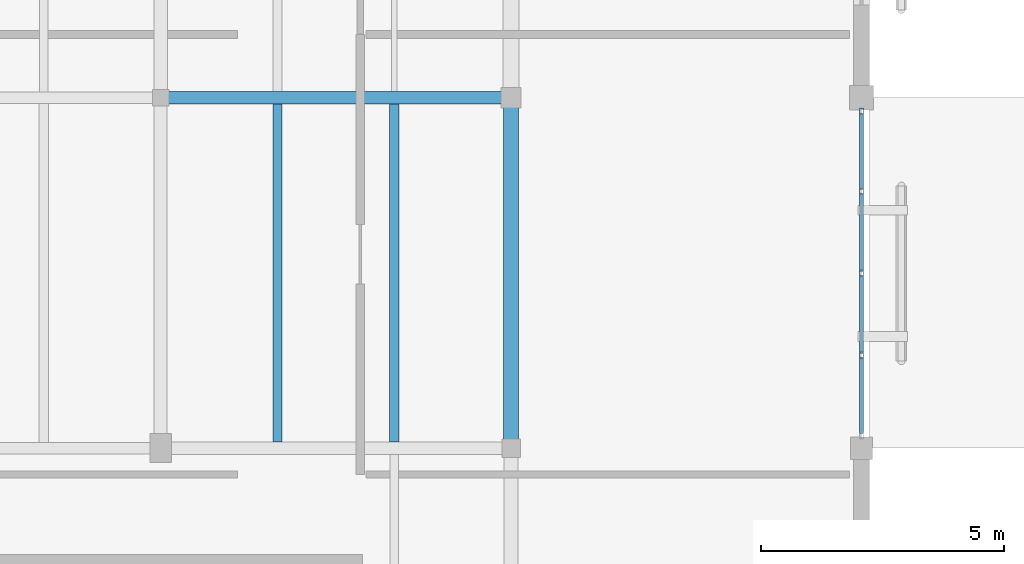
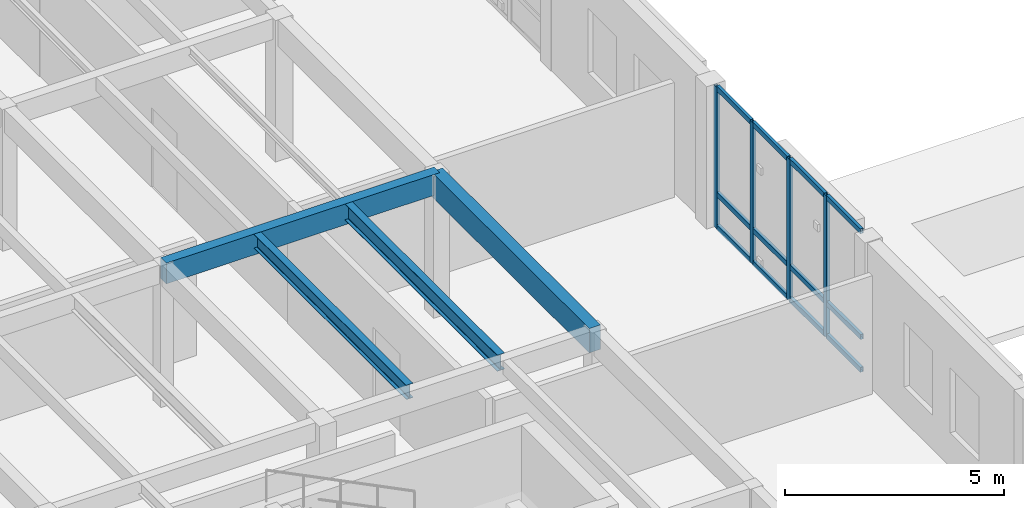
# One storey, part 15 of 61: 16 members, 4 beams, 1 element without a shape of its own.
"""IFC4 building model written with IfcOpenShell, lengths in metres."""

from ifc_helpers import new_model, si_unit, direction, frame, origin, origin_2d, place, context, subcontext, project, spatial, rectangle, hollow_rectangle, i_section, extrude, material, layer, layer_set, material_profile, profile_set, type_object, element, aggregate, save


model = new_model("IFC4")

# Units and contexts
model_context = context("Model", 3, precision=1e-05, world=origin(), true_north=direction((0.0, 1.0)))
body_context = subcontext(model_context, "Body", "Model", "MODEL_VIEW")
ifc_project = project(units=[si_unit("LENGTHUNIT", "METRE"), si_unit("AREAUNIT", "SQUARE_METRE"), si_unit("VOLUMEUNIT", "CUBIC_METRE"), si_unit("PLANEANGLEUNIT", "RADIAN"), si_unit("MASSUNIT", "GRAM", prefix="KILO")], contexts=[model_context])

# Site, building, storey
site_placement = place(None, origin())
site = spatial("IfcSite", under=ifc_project, at=site_placement, CompositionType="ELEMENT")
building_placement = place(site_placement, origin())
building = spatial("IfcBuilding", under=site, at=building_placement, Name="Mazaris Harbour Polytechnic", CompositionType="ELEMENT")
storey_placement = place(building_placement, frame((0.0, 0.0, 18.0)))
storey = spatial("IfcBuildingStorey", under=building, at=storey_placement, Name="L04", CompositionType="ELEMENT", Elevation=18.0)

# Curtain wall, members
ifc_material_1 = material(Name="Anodised Bronze Aluminium and Low-E Glass", Category="aluminium")
ifc_layer = layer(ifc_material_1, 0.159912109375, Name="Anodised Bronze Aluminium and Low-E Glass")
ifc_layer_set = layer_set([ifc_layer], Name="Anodised Bronze Aluminium and Low-E Glass")
curtain_wall_type = type_object("IfcCurtainWallType", Name="Cloister Court Curtain Wall", PredefinedType="NOTDEFINED", material=ifc_layer_set)
curtain_wall_placement = place(storey_placement, origin())
curtain_wall = element("IfcCurtainWall", 1, at=curtain_wall_placement, inside=storey, type_object=curtain_wall_type, Name="V4 L04 Curtain Wall 163", PredefinedType="NOTDEFINED")
ifc_material_2 = material(Name="Anodised Bronze Steel S355", Category="steel")
ifc_material_profile_1 = material_profile(ifc_material_2, hollow_rectangle(XDim=0.080078125, YDim=0.139892578125, WallThickness=0.00634765625, at=origin_2d()), Name="RHS 80x140x6.3")
ifc_profile_set_1 = profile_set([ifc_material_profile_1], Name="Anodised Bronze Steel S355")
member_type_1 = type_object("IfcMemberType", Name="Curtain Mullion RHS80x140", PredefinedType="MULLION", material=ifc_profile_set_1)
member_1_placement = place(storey_placement, frame((43.199951171875, 28.51806640625, 0.0), z_axis=(0.0, 0.0, 1.0), x_axis=(1.0, 0.0, 0.0)))
member_1 = element("IfcMember", 2, at=member_1_placement, type_object=member_type_1, Name="CW-02 mullion 1", PredefinedType="MULLION", context=body_context, shape_type="SweptSolid", body=[
    extrude(hollow_rectangle(XDim=0.080078125, YDim=0.139892578125, WallThickness=0.00634765625, at=origin_2d()), origin(), (0.0, 0.0, 1.0), 3.93505859375),
])
member_2_placement = place(storey_placement, frame((43.199951171875, 26.8740234375, 0.0), z_axis=(0.0, 0.0, 1.0), x_axis=(1.0, 0.0, 0.0)))
member_2 = element("IfcMember", 3, at=member_2_placement, type_object=member_type_1, Name="CW-02 mullion 2", PredefinedType="MULLION", context=body_context, shape_type="SweptSolid", body=[
    extrude(hollow_rectangle(XDim=0.080078125, YDim=0.139892578125, WallThickness=0.00634765625, at=origin_2d()), origin(), (0.0, 0.0, 1.0), 3.93505859375),
])
member_3_placement = place(storey_placement, frame((43.199951171875, 25.18994140625, 0.0), z_axis=(0.0, 0.0, 1.0), x_axis=(1.0, 0.0, 0.0)))
member_3 = element("IfcMember", 4, at=member_3_placement, type_object=member_type_1, Name="CW-02 mullion 3", PredefinedType="MULLION", context=body_context, shape_type="SweptSolid", body=[
    extrude(hollow_rectangle(XDim=0.080078125, YDim=0.139892578125, WallThickness=0.00634765625, at=origin_2d()), origin(), (0.0, 0.0, 1.0), 3.93505859375),
])
member_4_placement = place(storey_placement, frame((43.199951171875, 23.506103515625, 0.0), z_axis=(0.0, 0.0, 1.0), x_axis=(1.0, 0.0, 0.0)))
member_4 = element("IfcMember", 5, at=member_4_placement, type_object=member_type_1, Name="CW-02 mullion 4", PredefinedType="MULLION", context=body_context, shape_type="SweptSolid", body=[
    extrude(hollow_rectangle(XDim=0.080078125, YDim=0.139892578125, WallThickness=0.00634765625, at=origin_2d()), origin(), (0.0, 0.0, 1.0), 3.93505859375),
])
ifc_material_3 = material(Name="Anodised Bronze Steel S355", Category="steel")
ifc_material_profile_2 = material_profile(ifc_material_3, hollow_rectangle(XDim=0.080078125, YDim=0.139892578125, WallThickness=0.00634765625, at=origin_2d()), Name="RHS 80x140x6.3")
ifc_profile_set_2 = profile_set([ifc_material_profile_2], Name="Anodised Bronze Steel S355")
member_type_2 = type_object("IfcMemberType", Name="Curtain Transom RHS80x140", PredefinedType="USERDEFINED", material=ifc_profile_set_2)
member_5_placement = place(storey_placement, frame((43.199951171875, 28.47802734375, 0.0400390625), z_axis=(0.0, -1.0, 0.0), x_axis=(1.0, 0.0, 0.0)))
member_5 = element("IfcMember", 6, at=member_5_placement, type_object=member_type_2, Name="CW-02 transom 1.1", ObjectType="TRANSOM", PredefinedType="USERDEFINED", context=body_context, shape_type="SweptSolid", body=[
    extrude(hollow_rectangle(XDim=0.080078125, YDim=0.139892578125, WallThickness=0.00634765625, at=origin_2d()), origin(), (0.0, 0.0, 1.0), 1.56396484375),
])
member_6_placement = place(storey_placement, frame((43.199951171875, 28.47802734375, 0.949951171875), z_axis=(0.0, -1.0, 0.0), x_axis=(1.0, 0.0, 0.0)))
member_6 = element("IfcMember", 7, at=member_6_placement, type_object=member_type_2, Name="CW-02 transom 1.2", ObjectType="TRANSOM", PredefinedType="USERDEFINED", context=body_context, shape_type="SweptSolid", body=[
    extrude(hollow_rectangle(XDim=0.080078125, YDim=0.139892578125, WallThickness=0.00634765625, at=origin_2d()), origin(), (0.0, 0.0, 1.0), 1.56396484375),
])
member_7_placement = place(storey_placement, frame((43.199951171875, 28.47802734375, 3.89501953125), z_axis=(0.0, -1.0, 0.0), x_axis=(1.0, 0.0, 0.0)))
member_7 = element("IfcMember", 8, at=member_7_placement, type_object=member_type_2, Name="CW-02 transom 1.3", ObjectType="TRANSOM", PredefinedType="USERDEFINED", context=body_context, shape_type="SweptSolid", body=[
    extrude(hollow_rectangle(XDim=0.080078125, YDim=0.139892578125, WallThickness=0.00634765625, at=origin_2d()), origin(), (0.0, 0.0, 1.0), 1.56396484375),
])
member_8_placement = place(storey_placement, frame((43.199951171875, 26.833984375, 0.0400390625), z_axis=(0.0, -1.0, 0.0), x_axis=(1.0, 0.0, 0.0)))
member_8 = element("IfcMember", 9, at=member_8_placement, type_object=member_type_2, Name="CW-02 transom 2.1", ObjectType="TRANSOM", PredefinedType="USERDEFINED", context=body_context, shape_type="SweptSolid", body=[
    extrude(hollow_rectangle(XDim=0.080078125, YDim=0.139892578125, WallThickness=0.00634765625, at=origin_2d()), origin(), (0.0, 0.0, 1.0), 1.60400390625),
])
member_9_placement = place(storey_placement, frame((43.199951171875, 26.833984375, 0.949951171875), z_axis=(0.0, -1.0, 0.0), x_axis=(1.0, 0.0, 0.0)))
member_9 = element("IfcMember", 10, at=member_9_placement, type_object=member_type_2, Name="CW-02 transom 2.2", ObjectType="TRANSOM", PredefinedType="USERDEFINED", context=body_context, shape_type="SweptSolid", body=[
    extrude(hollow_rectangle(XDim=0.080078125, YDim=0.139892578125, WallThickness=0.00634765625, at=origin_2d()), origin(), (0.0, 0.0, 1.0), 1.60400390625),
])
member_10_placement = place(storey_placement, frame((43.199951171875, 26.833984375, 3.89501953125), z_axis=(0.0, -1.0, 0.0), x_axis=(1.0, 0.0, 0.0)))
member_10 = element("IfcMember", 11, at=member_10_placement, type_object=member_type_2, Name="CW-02 transom 2.3", ObjectType="TRANSOM", PredefinedType="USERDEFINED", context=body_context, shape_type="SweptSolid", body=[
    extrude(hollow_rectangle(XDim=0.080078125, YDim=0.139892578125, WallThickness=0.00634765625, at=origin_2d()), origin(), (0.0, 0.0, 1.0), 1.60400390625),
])
member_11_placement = place(storey_placement, frame((43.199951171875, 25.14990234375, 0.0400390625), z_axis=(0.0, -1.0, 0.0), x_axis=(1.0, 0.0, 0.0)))
member_11 = element("IfcMember", 12, at=member_11_placement, type_object=member_type_2, Name="CW-02 transom 3.1", ObjectType="TRANSOM", PredefinedType="USERDEFINED", context=body_context, shape_type="SweptSolid", body=[
    extrude(hollow_rectangle(XDim=0.080078125, YDim=0.139892578125, WallThickness=0.00634765625, at=origin_2d()), origin(), (0.0, 0.0, 1.0), 1.60400390625),
])
member_12_placement = place(storey_placement, frame((43.199951171875, 25.14990234375, 0.949951171875), z_axis=(0.0, -1.0, 0.0), x_axis=(1.0, 0.0, 0.0)))
member_12 = element("IfcMember", 13, at=member_12_placement, type_object=member_type_2, Name="CW-02 transom 3.2", ObjectType="TRANSOM", PredefinedType="USERDEFINED", context=body_context, shape_type="SweptSolid", body=[
    extrude(hollow_rectangle(XDim=0.080078125, YDim=0.139892578125, WallThickness=0.00634765625, at=origin_2d()), origin(), (0.0, 0.0, 1.0), 1.60400390625),
])
member_13_placement = place(storey_placement, frame((43.199951171875, 25.14990234375, 3.89501953125), z_axis=(0.0, -1.0, 0.0), x_axis=(1.0, 0.0, 0.0)))
member_13 = element("IfcMember", 14, at=member_13_placement, type_object=member_type_2, Name="CW-02 transom 3.3", ObjectType="TRANSOM", PredefinedType="USERDEFINED", context=body_context, shape_type="SweptSolid", body=[
    extrude(hollow_rectangle(XDim=0.080078125, YDim=0.139892578125, WallThickness=0.00634765625, at=origin_2d()), origin(), (0.0, 0.0, 1.0), 1.60400390625),
])
member_14_placement = place(storey_placement, frame((43.199951171875, 23.466064453125, 0.0400390625), z_axis=(0.0, -1.0, 0.0), x_axis=(1.0, 0.0, 0.0)))
member_14 = element("IfcMember", 15, at=member_14_placement, type_object=member_type_2, Name="CW-02 transom 4.1", ObjectType="TRANSOM", PredefinedType="USERDEFINED", context=body_context, shape_type="SweptSolid", body=[
    extrude(hollow_rectangle(XDim=0.080078125, YDim=0.139892578125, WallThickness=0.00634765625, at=origin_2d()), origin(), (0.0, 0.0, 1.0), 1.56396484375),
])
member_15_placement = place(storey_placement, frame((43.199951171875, 23.466064453125, 0.949951171875), z_axis=(0.0, -1.0, 0.0), x_axis=(1.0, 0.0, 0.0)))
member_15 = element("IfcMember", 16, at=member_15_placement, type_object=member_type_2, Name="CW-02 transom 4.2", ObjectType="TRANSOM", PredefinedType="USERDEFINED", context=body_context, shape_type="SweptSolid", body=[
    extrude(hollow_rectangle(XDim=0.080078125, YDim=0.139892578125, WallThickness=0.00634765625, at=origin_2d()), origin(), (0.0, 0.0, 1.0), 1.56396484375),
])
member_16_placement = place(storey_placement, frame((43.199951171875, 23.466064453125, 3.89501953125), z_axis=(0.0, -1.0, 0.0), x_axis=(1.0, 0.0, 0.0)))
member_16 = element("IfcMember", 17, at=member_16_placement, type_object=member_type_2, Name="CW-02 transom 4.3", ObjectType="TRANSOM", PredefinedType="USERDEFINED", context=body_context, shape_type="SweptSolid", body=[
    extrude(hollow_rectangle(XDim=0.080078125, YDim=0.139892578125, WallThickness=0.00634765625, at=origin_2d()), origin(), (0.0, 0.0, 1.0), 1.56396484375),
])
aggregate(curtain_wall, [member_1, member_2, member_3, member_4, member_5, member_6, member_7, member_8, member_9, member_10, member_11, member_12, member_13, member_14, member_15, member_16])

# Beams
ifc_material_4 = material(Name="Glulam GL32h", Category="wood")
ifc_material_profile_3 = material_profile(ifc_material_4, rectangle(XDim=0.260009765625, YDim=0.580078125, at=origin_2d()), Name="RECT260x580")
ifc_profile_set_3 = profile_set([ifc_material_profile_3], Name="Glulam GL32h")
beam_type_1 = type_object("IfcBeamType", Name="Glulam Girder 260x580", PredefinedType="BEAM", material=ifc_profile_set_3)
beam_1_placement = place(storey_placement, frame((28.800048828125, 28.800048828125, 3.64501953125), z_axis=(1.0, 0.0, 0.0), x_axis=(0.0, 1.0, 0.0)))
element("IfcBeam", 18, at=beam_1_placement, inside=storey, type_object=beam_type_1, Name="V4 L04 Girder 2381", PredefinedType="BEAM", context=body_context, shape_type="SweptSolid", body=[
    extrude(rectangle(XDim=0.260009765625, YDim=0.580078125, at=origin_2d()), origin(), (0.0, 0.0, 1.0), 7.199951171875),
])
ifc_material_5 = material(Name="Glulam GL32h", Category="wood")
ifc_material_profile_4 = material_profile(ifc_material_5, rectangle(XDim=0.300048828125, YDim=0.679931640625, at=origin_2d()), Name="RECT300x680")
ifc_profile_set_4 = profile_set([ifc_material_profile_4], Name="Glulam GL32h")
beam_type_2 = type_object("IfcBeamType", Name="Glulam Girder 300x680 Exterior", PredefinedType="BEAM", material=ifc_profile_set_4)
beam_2_placement = place(storey_placement, frame((36.0, 21.60009765625, 3.594970703125), z_axis=(0.0, 1.0, 0.0), x_axis=(-1.0, 0.0, 0.0)))
element("IfcBeam", 19, at=beam_2_placement, inside=storey, type_object=beam_type_2, Name="V4 L04 Tie Girder 2428", PredefinedType="BEAM", context=body_context, shape_type="SweptSolid", body=[
    extrude(rectangle(XDim=0.300048828125, YDim=0.679931640625, at=origin_2d()), origin(), (0.0, 0.0, 1.0), 7.199951171875),
])
ifc_material_6 = material(Name="Steel S355", Category="steel")
ifc_material_profile_5 = material_profile(ifc_material_6, i_section(OverallWidth=0.179931640625, OverallDepth=0.39990234375, WebThickness=0.008544921875, FlangeThickness=0.013427734375, FilletRadius=0.02099609375, at=origin_2d()), Name="IPE 400")
ifc_profile_set_5 = profile_set([ifc_material_profile_5], Name="Steel S355")
beam_type_3 = type_object("IfcBeamType", Name="Steel Joist IPE400", PredefinedType="JOIST", material=ifc_profile_set_5)
beam_3_placement = place(storey_placement, frame((31.199951171875, 21.72998046875, 3.735107421875), z_axis=(0.0, 1.0, 0.0), x_axis=(-1.0, 0.0, 0.0)))
element("IfcBeam", 20, at=beam_3_placement, inside=storey, type_object=beam_type_3, Name="V4 L04 Floor Joist 2476", PredefinedType="JOIST", context=body_context, shape_type="SweptSolid", body=[
    extrude(i_section(OverallWidth=0.179931640625, OverallDepth=0.39990234375, WebThickness=0.008544921875, FlangeThickness=0.013427734375, FilletRadius=0.02099609375, at=origin_2d()), origin(), (0.0, 0.0, 1.0), 6.93994140625),
])
ifc_material_7 = material(Name="Steel S355", Category="steel")
ifc_material_profile_6 = material_profile(ifc_material_7, i_section(OverallWidth=0.18994140625, OverallDepth=0.449951171875, WebThickness=0.009521484375, FlangeThickness=0.0146484375, FilletRadius=0.02099609375, at=origin_2d()), Name="IPE 450")
ifc_profile_set_6 = profile_set([ifc_material_profile_6], Name="Steel S355")
beam_type_4 = type_object("IfcBeamType", Name="Steel Joist IPE450", PredefinedType="JOIST", material=ifc_profile_set_6)
beam_4_placement = place(storey_placement, frame((33.60009765625, 21.72998046875, 3.7099609375), z_axis=(0.0, 1.0, 0.0), x_axis=(-1.0, 0.0, 0.0)))
element("IfcBeam", 21, at=beam_4_placement, inside=storey, type_object=beam_type_4, Name="V4 L04 Floor Joist 2477", PredefinedType="JOIST", context=body_context, shape_type="SweptSolid", body=[
    extrude(i_section(OverallWidth=0.18994140625, OverallDepth=0.449951171875, WebThickness=0.009521484375, FlangeThickness=0.0146484375, FilletRadius=0.02099609375, at=origin_2d()), origin(), (0.0, 0.0, 1.0), 6.93994140625),
])

save(model, "model.ifc")
